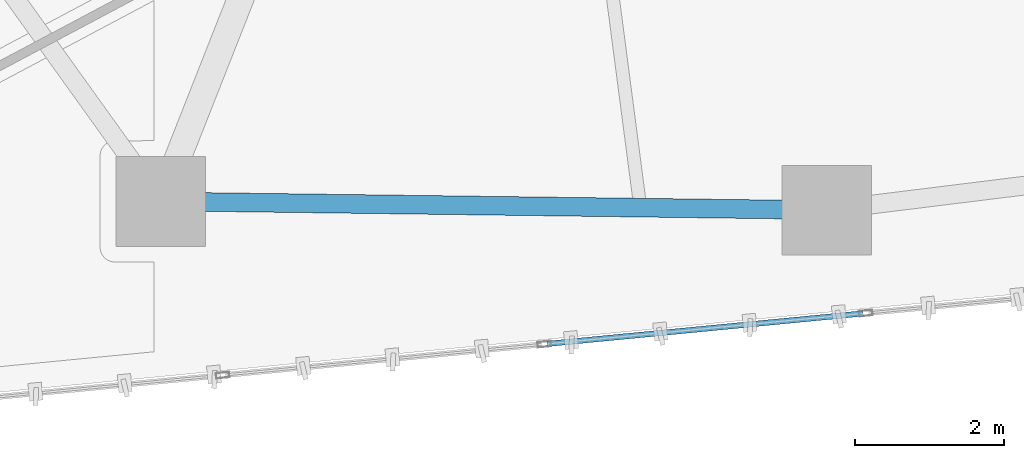
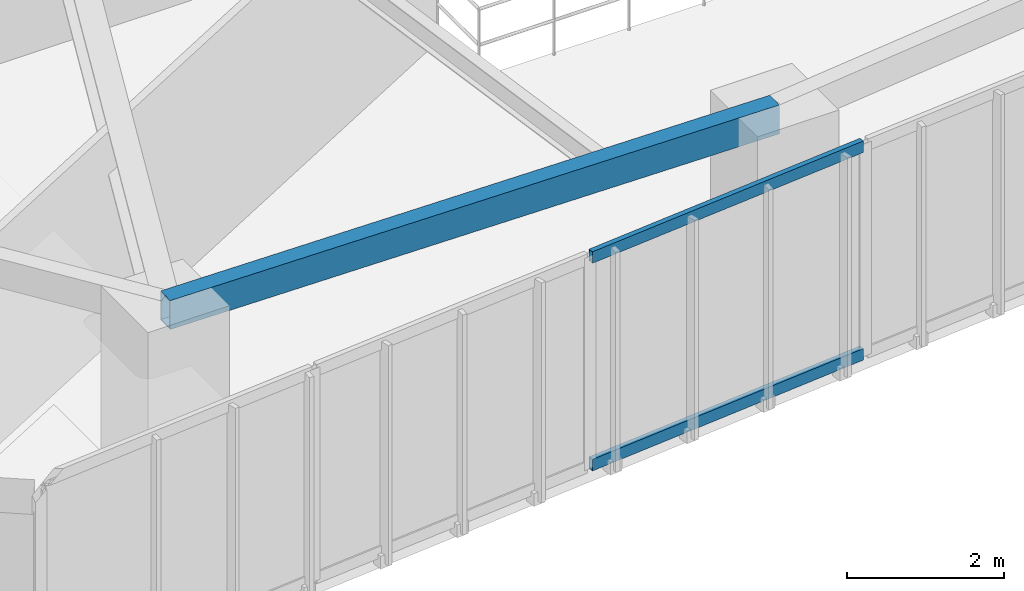
# One storey, part 3 of 22: 2 members, 1 beam, 1 element without a shape of its own.
"""IFC4 building model written with IfcOpenShell, lengths in metres."""

from ifc_helpers import new_model, si_unit, direction, frame, origin, origin_2d, place, context, subcontext, project, spatial, hollow_rectangle, extrude, source, transform, mapped, material, layer, layer_set, material_profile, profile_set, type_object, type_shapes, element, aggregate, save


model = new_model("IFC4")

# Units and contexts
model_context = context("Model", 3, precision=1e-05, world=origin(), true_north=direction((0.0, 1.0)))
body_context = subcontext(model_context, "Body", "Model", "MODEL_VIEW")
ifc_project = project(units=[si_unit("LENGTHUNIT", "METRE"), si_unit("AREAUNIT", "SQUARE_METRE"), si_unit("VOLUMEUNIT", "CUBIC_METRE"), si_unit("PLANEANGLEUNIT", "RADIAN"), si_unit("MASSUNIT", "GRAM", prefix="KILO")], contexts=[model_context])

# Site, building, storey
site_placement = place(None, origin())
site = spatial("IfcSite", under=ifc_project, at=site_placement, CompositionType="ELEMENT")
building_placement = place(site_placement, origin())
building = spatial("IfcBuilding", under=site, at=building_placement, Name="Talar Marvaseh", CompositionType="ELEMENT")
storey_placement = place(building_placement, frame((0.0, 0.0, 107.39990234375)))
storey = spatial("IfcBuildingStorey", under=building, at=storey_placement, Name="L27", CompositionType="ELEMENT", Elevation=107.39990234375)

# Beam
ifc_material_1 = material(Name="Steel S355", Category="steel")
ifc_material_profile_1 = material_profile(ifc_material_1, hollow_rectangle(XDim=0.25, YDim=0.449951171875, WallThickness=0.01611328125, at=origin_2d()), Name="RHS450x250x16")
ifc_profile_set_1 = profile_set([ifc_material_profile_1], Name="Steel S355")
beam_type = type_object("IfcBeamType", Name="Zone 2 Perimeter Spandrel Beam RHS450x250x16", PredefinedType="SPANDREL", material=ifc_profile_set_1)
beam_placement = place(storey_placement, frame((22.804931640625, 13.18310546875, 3.085205078125), z_axis=(-0.999915383581, 0.013008677034, 0.0), x_axis=(-0.013008677034, -0.999915383581, 0.0)))
element("IfcBeam", 1, at=beam_placement, inside=storey, type_object=beam_type, Name="L27 Zone 2 Perimeter Spandrel Beam RHS450x250x16", PredefinedType="SPANDREL", context=body_context, shape_type="SweptSolid", body=[
    extrude(hollow_rectangle(XDim=0.25, YDim=0.449951171875, WallThickness=0.01611328125, at=origin_2d()), origin(), (0.0, 0.0, 1.0), 8.91455078125),
])

# Curtain wall, members
ifc_material_2 = material(Name="Architectural Aluminium", Category="aluminium")
ifc_layer = layer(ifc_material_2, 0.199951171875)
ifc_layer_set = layer_set([ifc_layer], Name="Architectural Aluminium")
curtain_wall_type = type_object("IfcCurtainWallType", Name="Unitised Acoustic Library Curtain Wall Z2", PredefinedType="NOTDEFINED", material=ifc_layer_set)
curtain_wall_placement = place(storey_placement, origin())
curtain_wall = element("IfcCurtainWall", 2, at=curtain_wall_placement, inside=storey, type_object=curtain_wall_type, Name="L27 Unitised Acoustic Library Curtain Wall Z2", PredefinedType="NOTDEFINED")
ifc_material_profile_2 = material_profile(ifc_material_2, hollow_rectangle(XDim=0.074951171875, YDim=0.179931640625, WallThickness=0.0048828125, at=origin_2d()), Name="RHS180x75x5")
ifc_profile_set_2 = profile_set([ifc_material_profile_2], Name="Architectural Aluminium")
member_type = type_object("IfcMemberType", Name="Unitised Curtain Wall Transom RHS180x75x5", PredefinedType="USERDEFINED", material=ifc_profile_set_2)
shared_shape = source(origin(), body_context, "Body", "SweptSolid", [
    extrude(hollow_rectangle(XDim=0.074951171875, YDim=0.179931640625, WallThickness=0.0048828125, at=origin_2d()), origin(), (0.0, 0.0, 1.0), 4.24853515625),
])
type_shapes(member_type, [shared_shape])
member_1_placement = place(storey_placement, frame((23.290283203125, 11.80078125, 0.03759765625), z_axis=(-0.995379291487, -0.096021175157, 0.0), x_axis=(0.096021175157, -0.995379291487, 0.0)))
member_1 = element("IfcMember", 3, at=member_1_placement, type_object=member_type, Name="CW-Z2 transom 3.1", ObjectType="TRANSOM", PredefinedType="USERDEFINED", context=body_context, shape_type="MappedRepresentation", body=[
    mapped(shared_shape, transform((0.0, 0.0, 0.0), x_axis=(1.0, 0.0, 0.0), y_axis=(0.0, 1.0, 0.0), z_axis=(0.0, 0.0, 1.0), scale=1.0)),
])
member_2_placement = place(storey_placement, frame((23.290283203125, 11.80078125, 3.272705078125), z_axis=(-0.995379291487, -0.096021175157, 0.0), x_axis=(0.096021175157, -0.995379291487, 0.0)))
member_2 = element("IfcMember", 4, at=member_2_placement, type_object=member_type, Name="CW-Z2 transom 3.2", ObjectType="TRANSOM", PredefinedType="USERDEFINED", context=body_context, shape_type="MappedRepresentation", body=[
    mapped(shared_shape, transform((0.0, 0.0, 0.0), x_axis=(1.0, 0.0, 0.0), y_axis=(0.0, 1.0, 0.0), z_axis=(0.0, 0.0, 1.0), scale=1.0)),
])
aggregate(curtain_wall, [member_1, member_2])

save(model, "model.ifc")
